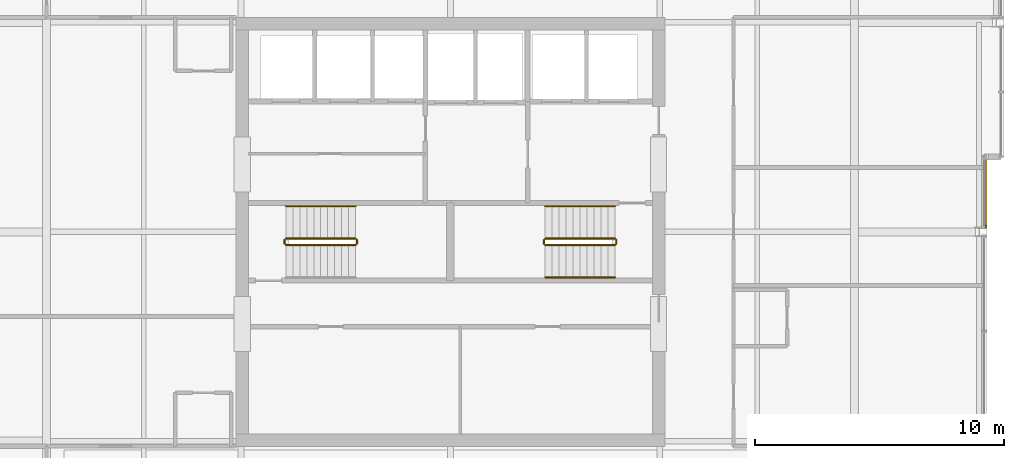
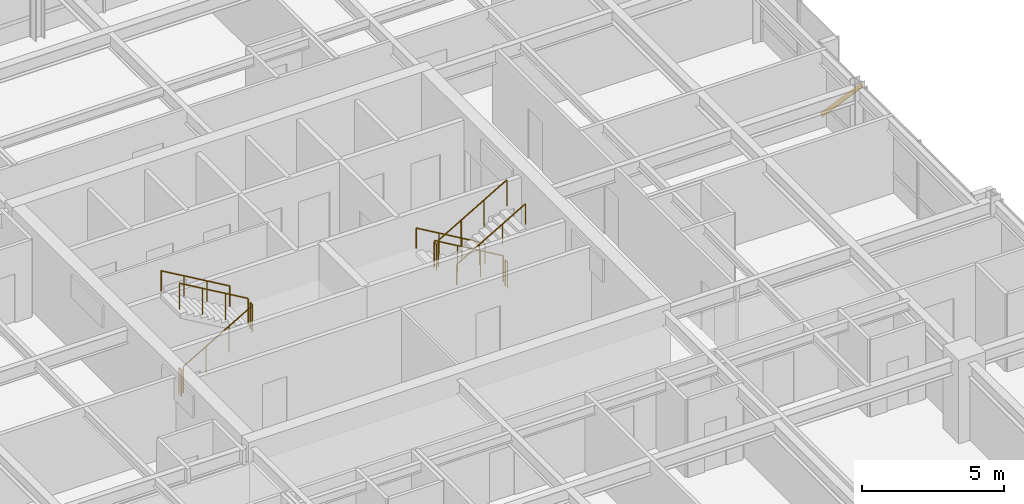
# One storey, part 31 of 32: 11 railings, 1 shading device.
"""IFC4 building model written with IfcOpenShell, lengths in metres."""

import ifcopenshell
import ifcopenshell.guid

model = None  # the IFC model being written
_history = None  # IfcOwnerHistory: only IFC2X3 demands one
_inside = {}  # id of a spatial element -> (the spatial element, [elements in it])
_under = {}  # id of a project, library or spatial element -> (it, [spatial elements below it])
_declared = {}  # id of a project -> (the project, [libraries it declares])
_typed = {}  # id of a type object -> (the type object, [elements of that type])
_made_of = {}  # id of a material, layer set ... -> (it, [elements and type objects made of it])


def new_model(schema):
    """Start an empty IFC model of exactly this schema.

    Asked for "IFC4X3", IfcOpenShell would pick the latest addendum, in which some entities
    have other attributes; the version numbers below select the first issue.
    IFC2X3 requires an IfcOwnerHistory on every rooted entity: one is made here for all.
    """
    global model, _history
    if schema == "IFC4X3":
        model = ifcopenshell.file(schema_version=(4, 3, 0, 0))
    else:
        model = ifcopenshell.file(schema=schema)
    _inside.clear()
    _under.clear()
    _declared.clear()
    _typed.clear()
    _made_of.clear()
    _history = None
    if model.schema == "IFC2X3":
        org = make("IfcOrganization", Name="unknown")
        user = make(
            "IfcPersonAndOrganization",
            ThePerson=make("IfcPerson", FamilyName="unknown"),
            TheOrganization=org,
        )
        app = make(
            "IfcApplication",
            ApplicationDeveloper=org,
            Version="unknown",
            ApplicationFullName="unknown",
            ApplicationIdentifier="unknown",
        )
        _history = make(
            "IfcOwnerHistory",
            OwningUser=user,
            OwningApplication=app,
            ChangeAction="ADDED",
            CreationDate=0,
        )
    return model


def make(cls, **values):
    """One entity of the class cls with the attributes given. An attribute that is None is left unset."""
    return model.create_entity(
        cls, **{name: value for name, value in values.items() if value is not None}
    )


def rooted(cls, **values):
    """An entity with a GlobalId (a new one), such as an element, a storey or a relation."""
    return make(cls, GlobalId=ifcopenshell.guid.new(), OwnerHistory=_history, **values)


def si_unit(unit_type, name, prefix=None):
    """IfcSIUnit, for example si_unit("LENGTHUNIT", "METRE", prefix="MILLI")."""
    return make("IfcSIUnit", UnitType=unit_type, Prefix=prefix, Name=name)


def assignment(units):
    """IfcUnitAssignment: the units of a project."""
    return None if units is None else make("IfcUnitAssignment", Units=units)


def point(xyz):
    """IfcCartesianPoint."""
    return None if xyz is None else make("IfcCartesianPoint", Coordinates=xyz)


def direction(xyz):
    """IfcDirection."""
    return None if xyz is None else make("IfcDirection", DirectionRatios=xyz)


def frame(location, z_axis=None, x_axis=None):
    """IfcAxis2Placement3D, a coordinate frame: its origin and axes. An axis left out is left unset."""
    return make(
        "IfcAxis2Placement3D",
        Location=point(location),
        Axis=direction(z_axis),
        RefDirection=direction(x_axis),
    )


def frame_2d(location, x_axis=None):
    """IfcAxis2Placement2D, a coordinate frame in the plane: its origin and x axis."""
    return make(
        "IfcAxis2Placement2D", Location=point(location), RefDirection=direction(x_axis)
    )


def origin():
    """The frame at (0, 0, 0) with its axes left unset."""
    return frame((0.0, 0.0, 0.0))


def origin_2d():
    """The frame at (0, 0) in the plane with its x axis left unset."""
    return frame_2d((0.0, 0.0))


def place(relative_to, where):
    """IfcLocalPlacement: puts the frame where relative to a parent placement (None: the world)."""
    return make(
        "IfcLocalPlacement", PlacementRelTo=relative_to, RelativePlacement=where
    )


def context(
    kind, dimensions, precision=None, world=None, true_north=None, identifier=None
):
    """IfcGeometricRepresentationContext, for example the 3D "Model" context."""
    return make(
        "IfcGeometricRepresentationContext",
        ContextIdentifier=identifier,
        ContextType=kind,
        CoordinateSpaceDimension=dimensions,
        Precision=precision,
        WorldCoordinateSystem=world,
        TrueNorth=true_north,
    )


def subcontext(parent, identifier, kind, view, scale=None):
    """IfcGeometricRepresentationSubContext, for example "Body" below "Model"."""
    return make(
        "IfcGeometricRepresentationSubContext",
        ContextIdentifier=identifier,
        ContextType=kind,
        ParentContext=parent,
        TargetScale=scale,
        TargetView=view,
    )


def project(units=None, contexts=None):
    """IfcProject with its units and contexts."""
    return rooted(
        "IfcProject",
        Name="project",
        RepresentationContexts=contexts,
        UnitsInContext=assignment(units),
    )


def spatial(cls, under=None, at=None, **own):
    """A site, building, storey or space (cls), placed at a placement, below another one or the project."""
    s = rooted(cls, ObjectPlacement=at, **own)
    if under is not None:
        _under.setdefault(under.id(), (under, []))[1].append(s)
    return s


def profile(cls, at=None, kind="AREA", **sizes):
    """A parametric profile (cls). Its sizes go by their IFC names, for example OverallWidth=200.0."""
    return make(cls, ProfileType=kind, Position=at, **sizes)


def hollow_rectangle(**sizes):
    """IfcRectangleHollowProfileDef."""
    return profile("IfcRectangleHollowProfileDef", **sizes)


def circle(**sizes):
    """IfcCircleProfileDef."""
    return profile("IfcCircleProfileDef", **sizes)


def extrude(swept, where, along, depth):
    """IfcExtrudedAreaSolid: the profile swept, set in the frame where, extruded along a direction by depth."""
    return make(
        "IfcExtrudedAreaSolid",
        SweptArea=swept,
        Position=where,
        ExtrudedDirection=direction(along),
        Depth=depth,
    )


def shape(context_of_items, identifier, shape_type, items):
    """IfcShapeRepresentation: the items that make up one representation, for example the "Body"."""
    return make(
        "IfcShapeRepresentation",
        ContextOfItems=context_of_items,
        RepresentationIdentifier=identifier,
        RepresentationType=shape_type,
        Items=items,
    )


def material(Name=None, Category=None):
    """IfcMaterial."""
    return make("IfcMaterial", Name=Name, Category=Category)


def material_profile(
    of_material, cross_section, Name=None, Category=None, Priority=None
):
    """IfcMaterialProfile: a cross section and its material."""
    return make(
        "IfcMaterialProfile",
        Name=Name,
        Material=of_material,
        Profile=cross_section,
        Priority=Priority,
        Category=Category,
    )


def profile_set(profiles, Name=None, composite=None):
    """IfcMaterialProfileSet."""
    return make(
        "IfcMaterialProfileSet",
        Name=Name,
        MaterialProfiles=profiles,
        CompositeProfile=composite,
    )


def made_of(thing, what):
    """Note that an element or type object is made of a material, layer set ...; save() writes the relation."""
    if what is not None:
        _made_of.setdefault(what.id(), (what, []))[1].append(thing)
    return thing


def type_object(cls, material=None, **own):
    """A type object (cls), such as IfcWallType, which elements share."""
    return made_of(rooted(cls, **own), material)


def element(
    cls,
    number,
    at=None,
    inside=None,
    cuts=None,
    type_object=None,
    material=None,
    context=None,
    identifier="Body",
    shape_type=None,
    held_by="IfcProductDefinitionShape",
    body=None,
    shapes=None,
    **own,
):
    """One element of the class cls, such as IfcWall. Its Tag is "e" and its number.

    at: its placement. inside: the storey or other place that contains it. cuts: it is an
    opening in that element (IfcRelVoidsElement). A single representation is given by context,
    identifier, shape_type and body (its items); several are given by shapes. held_by: the class
    of the entity that holds the representations. save() writes the other relations.
    """
    e = rooted(cls, Tag="e%d" % number, ObjectPlacement=at, **own)
    if body is not None:
        shapes = [shape(context, identifier, shape_type, body)]
    if shapes is not None:
        e.Representation = make(held_by, Representations=shapes)
    if inside is not None:
        _inside.setdefault(inside.id(), (inside, []))[1].append(e)
    if cuts is not None:
        rooted(
            "IfcRelVoidsElement", RelatingBuildingElement=cuts, RelatedOpeningElement=e
        )
    if type_object is not None:
        _typed.setdefault(type_object.id(), (type_object, []))[1].append(e)
    return made_of(e, material)


def aggregate(whole, parts):
    """IfcRelAggregates: a whole, such as a stair, and the parts it consists of."""
    return rooted("IfcRelAggregates", RelatingObject=whole, RelatedObjects=parts)


def save(model, path):
    """Write the relations noted so far, then the file.

    IfcRelAggregates (storeys below a building ...), IfcRelContainedInSpatialStructure (elements
    in a storey), IfcRelDefinesByType, IfcRelAssociatesMaterial and IfcRelDeclares: one each for
    every whole, place, type object, material and project.
    """
    for whole, parts in _under.values():
        aggregate(whole, parts)
    for where, things in _inside.values():
        rooted(
            "IfcRelContainedInSpatialStructure",
            RelatedElements=things,
            RelatingStructure=where,
        )
    for kind, things in _typed.values():
        rooted("IfcRelDefinesByType", RelatedObjects=things, RelatingType=kind)
    for what, things in _made_of.values():
        rooted("IfcRelAssociatesMaterial", RelatedObjects=things, RelatingMaterial=what)
    for by, libraries in _declared.values():
        rooted("IfcRelDeclares", RelatingContext=by, RelatedDefinitions=libraries)
    model.write(path)


model = new_model("IFC4")

# Units and contexts
model_context = context("Model", 3, precision=1e-05, world=origin(), true_north=direction((0.0, 1.0)))
body_context = subcontext(model_context, "Body", "Model", "MODEL_VIEW")
ifc_project = project(units=[si_unit("LENGTHUNIT", "METRE"), si_unit("AREAUNIT", "SQUARE_METRE"), si_unit("VOLUMEUNIT", "CUBIC_METRE"), si_unit("PLANEANGLEUNIT", "RADIAN"), si_unit("MASSUNIT", "GRAM", prefix="KILO")], contexts=[model_context])

# Site, building, storey
site_placement = place(None, origin())
site = spatial("IfcSite", under=ifc_project, at=site_placement, CompositionType="ELEMENT")
building_placement = place(site_placement, origin())
building = spatial("IfcBuilding", under=site, at=building_placement, Name="Drelvath Grand Hotel", CompositionType="ELEMENT")
storey_placement = place(building_placement, frame((0.0, 0.0, 233.89990234375)))
storey = spatial("IfcBuildingStorey", under=building, at=storey_placement, Name="L61", CompositionType="ELEMENT", Elevation=233.89990234375)

# Railings
ifc_material_1 = material(Name="Painted Steel S275", Category="steel")
railing_type_1 = type_object("IfcRailingType", Name="Core Stair Wall Handrail 900", PredefinedType="HANDRAIL", material=ifc_material_1)
railing_1_placement = place(storey_placement, frame((-3.800048828125, 28.030029296875, 1.963623046875)))
element("IfcRailing", 1, at=railing_1_placement, inside=storey, type_object=railing_type_1, Name="L61 ST-1 stair handrail 2", PredefinedType="HANDRAIL", context=body_context, shape_type="SweptSolid", body=[
    extrude(circle(Radius=0.02392578125, at=origin_2d()), frame((0.0, 0.0, 0.8759765625), z_axis=(-0.863360870873, 0.0, 0.504586966384), x_axis=(0.0, -1.0, 0.0)), (0.0, 0.0, 1.0), 3.2431640625),
    extrude(circle(Radius=0.02099609375, at=origin_2d()), origin(), (0.0, 0.0, 1.0), 0.851806640625),
    extrude(circle(Radius=0.02099609375, at=origin_2d()), frame((-0.933349609375, 0.0, 0.54541015625)), (0.0, 0.0, 1.0), 0.851806640625),
    extrude(circle(Radius=0.02099609375, at=origin_2d()), frame((-1.86669921875, 0.0, 1.091064453125)), (0.0, 0.0, 1.0), 0.851806640625),
    extrude(circle(Radius=0.02099609375, at=origin_2d()), frame((-2.800048828125, 0.0, 1.636474609375)), (0.0, 0.0, 1.0), 0.851806640625),
])
railing_2_placement = place(storey_placement, frame((6.60009765625, 28.030029296875, 0.163818359375)))
element("IfcRailing", 2, at=railing_2_placement, inside=storey, type_object=railing_type_1, Name="L61 ST-2 stair handrail 1", PredefinedType="HANDRAIL", context=body_context, shape_type="SweptSolid", body=[
    extrude(circle(Radius=0.02392578125, at=origin_2d()), frame((0.0, 0.0, 0.8759765625), z_axis=(-0.863393664356, 0.0, 0.504530851732), x_axis=(0.0, -1.0, 0.0)), (0.0, 0.0, 1.0), 3.2431640625),
    extrude(circle(Radius=0.02099609375, at=origin_2d()), origin(), (0.0, 0.0, 1.0), 0.851806640625),
    extrude(circle(Radius=0.02099609375, at=origin_2d()), frame((-0.933349609375, 0.0, 0.54541015625)), (0.0, 0.0, 1.0), 0.851806640625),
    extrude(circle(Radius=0.02099609375, at=origin_2d()), frame((-1.86669921875, 0.0, 1.0908203125)), (0.0, 0.0, 1.0), 0.851806640625),
    extrude(circle(Radius=0.02099609375, at=origin_2d()), frame((-2.800048828125, 0.0, 1.63623046875)), (0.0, 0.0, 1.0), 0.851806640625),
])
railing_3_placement = place(storey_placement, frame((3.800048828125, 25.169921875, 1.963623046875)))
element("IfcRailing", 3, at=railing_3_placement, inside=storey, type_object=railing_type_1, Name="L61 ST-2 stair handrail 2", PredefinedType="HANDRAIL", context=body_context, shape_type="SweptSolid", body=[
    extrude(circle(Radius=0.02392578125, at=origin_2d()), frame((0.0, 0.0, 0.8759765625), z_axis=(0.863360870873, 0.0, 0.504586966384), x_axis=(0.0, 1.0, 0.0)), (0.0, 0.0, 1.0), 3.2431640625),
    extrude(circle(Radius=0.02099609375, at=origin_2d()), origin(), (0.0, 0.0, 1.0), 0.851806640625),
    extrude(circle(Radius=0.02099609375, at=origin_2d()), frame((0.933349609375, 0.0, 0.54541015625)), (0.0, 0.0, 1.0), 0.851806640625),
    extrude(circle(Radius=0.02099609375, at=origin_2d()), frame((1.86669921875, 0.0, 1.091064453125)), (0.0, 0.0, 1.0), 0.851806640625),
    extrude(circle(Radius=0.02099609375, at=origin_2d()), frame((2.800048828125, 0.0, 1.636474609375)), (0.0, 0.0, 1.0), 0.851806640625),
])
railing_type_2 = type_object("IfcRailingType", Name="Core Stair Well Guardrail 1100", PredefinedType="GUARDRAIL", material=ifc_material_1)
railing_4_placement = place(storey_placement, frame((-6.60009765625, 26.469970703125, 0.163818359375)))
element("IfcRailing", 4, at=railing_4_placement, inside=storey, type_object=railing_type_2, Name="L61 ST-1 stair guard 1", PredefinedType="GUARDRAIL", context=body_context, shape_type="SweptSolid", body=[
    extrude(circle(Radius=0.02392578125, at=origin_2d()), frame((0.0, 0.0, 1.1259765625), z_axis=(0.863393664356, 0.0, 0.504530851732), x_axis=(0.0, 1.0, 0.0)), (0.0, 0.0, 1.0), 3.2431640625),
    extrude(circle(Radius=0.02099609375, at=origin_2d()), origin(), (0.0, 0.0, 1.0), 1.101806640625),
    extrude(circle(Radius=0.02099609375, at=origin_2d()), frame((0.933349609375, 0.0, 0.54541015625)), (0.0, 0.0, 1.0), 1.101806640625),
    extrude(circle(Radius=0.02099609375, at=origin_2d()), frame((1.86669921875, 0.0, 1.0908203125)), (0.0, 0.0, 1.0), 1.101806640625),
    extrude(circle(Radius=0.02099609375, at=origin_2d()), frame((2.800048828125, 0.0, 1.63623046875)), (0.0, 0.0, 1.0), 1.101806640625),
])
railing_5_placement = place(storey_placement, frame((-3.75, 26.52001953125, 1.800048828125)))
element("IfcRailing", 5, at=railing_5_placement, inside=storey, type_object=railing_type_2, Name="L61 ST-1 stair guard 2", PredefinedType="GUARDRAIL", context=body_context, shape_type="SweptSolid", body=[
    extrude(circle(Radius=0.02392578125, at=origin_2d()), frame((0.0, 0.0, 1.1259765625), z_axis=(0.0, 1.0, 0.0), x_axis=(-1.0, 0.0, 0.0)), (0.0, 0.0, 1.0), 0.159912109375),
    extrude(circle(Radius=0.02099609375, at=origin_2d()), origin(), (0.0, 0.0, 1.0), 1.101806640625),
    extrude(circle(Radius=0.02099609375, at=origin_2d()), frame((0.0, 0.159912109375, 0.0)), (0.0, 0.0, 1.0), 1.101806640625),
])
railing_6_placement = place(storey_placement, frame((-3.800048828125, 26.72998046875, 1.963623046875)))
element("IfcRailing", 6, at=railing_6_placement, inside=storey, type_object=railing_type_2, Name="L61 ST-1 stair guard 3", PredefinedType="GUARDRAIL", context=body_context, shape_type="SweptSolid", body=[
    extrude(circle(Radius=0.02392578125, at=origin_2d()), frame((0.0, 0.0, 1.1259765625), z_axis=(-0.863360870873, 0.0, 0.504586966384), x_axis=(0.0, -1.0, 0.0)), (0.0, 0.0, 1.0), 3.2431640625),
    extrude(circle(Radius=0.02099609375, at=origin_2d()), origin(), (0.0, 0.0, 1.0), 1.101806640625),
    extrude(circle(Radius=0.02099609375, at=origin_2d()), frame((-0.933349609375, 0.0, 0.54541015625)), (0.0, 0.0, 1.0), 1.101806640625),
    extrude(circle(Radius=0.02099609375, at=origin_2d()), frame((-1.86669921875, 0.0, 1.091064453125)), (0.0, 0.0, 1.0), 1.101806640625),
    extrude(circle(Radius=0.02099609375, at=origin_2d()), frame((-2.800048828125, 0.0, 1.636474609375)), (0.0, 0.0, 1.0), 1.101806640625),
])
railing_7_placement = place(storey_placement, frame((-6.64990234375, 26.52001953125, 0.0)))
element("IfcRailing", 7, at=railing_7_placement, inside=storey, type_object=railing_type_2, Name="L61 ST-1 stair guard 4", PredefinedType="GUARDRAIL", context=body_context, shape_type="SweptSolid", body=[
    extrude(circle(Radius=0.02392578125, at=origin_2d()), frame((0.0, 0.0, 1.1259765625), z_axis=(0.0, 1.0, 0.0), x_axis=(-1.0, 0.0, 0.0)), (0.0, 0.0, 1.0), 0.159912109375),
    extrude(circle(Radius=0.02099609375, at=origin_2d()), origin(), (0.0, 0.0, 1.0), 1.101806640625),
    extrude(circle(Radius=0.02099609375, at=origin_2d()), frame((0.0, 0.159912109375, 0.0)), (0.0, 0.0, 1.0), 1.101806640625),
])
railing_8_placement = place(storey_placement, frame((6.60009765625, 26.72998046875, 0.163818359375)))
element("IfcRailing", 8, at=railing_8_placement, inside=storey, type_object=railing_type_2, Name="L61 ST-2 stair guard 1", PredefinedType="GUARDRAIL", context=body_context, shape_type="SweptSolid", body=[
    extrude(circle(Radius=0.02392578125, at=origin_2d()), frame((0.0, 0.0, 1.1259765625), z_axis=(-0.863393664356, 0.0, 0.504530851732), x_axis=(0.0, -1.0, 0.0)), (0.0, 0.0, 1.0), 3.2431640625),
    extrude(circle(Radius=0.02099609375, at=origin_2d()), origin(), (0.0, 0.0, 1.0), 1.101806640625),
    extrude(circle(Radius=0.02099609375, at=origin_2d()), frame((-0.933349609375, 0.0, 0.54541015625)), (0.0, 0.0, 1.0), 1.101806640625),
    extrude(circle(Radius=0.02099609375, at=origin_2d()), frame((-1.86669921875, 0.0, 1.0908203125)), (0.0, 0.0, 1.0), 1.101806640625),
    extrude(circle(Radius=0.02099609375, at=origin_2d()), frame((-2.800048828125, 0.0, 1.63623046875)), (0.0, 0.0, 1.0), 1.101806640625),
])
railing_9_placement = place(storey_placement, frame((3.75, 26.679931640625, 1.800048828125)))
element("IfcRailing", 9, at=railing_9_placement, inside=storey, type_object=railing_type_2, Name="L61 ST-2 stair guard 2", PredefinedType="GUARDRAIL", context=body_context, shape_type="SweptSolid", body=[
    extrude(circle(Radius=0.02392578125, at=origin_2d()), frame((0.0, 0.0, 1.1259765625), z_axis=(0.0, -1.0, 0.0), x_axis=(1.0, 0.0, 0.0)), (0.0, 0.0, 1.0), 0.159912109375),
    extrude(circle(Radius=0.02099609375, at=origin_2d()), origin(), (0.0, 0.0, 1.0), 1.101806640625),
    extrude(circle(Radius=0.02099609375, at=origin_2d()), frame((0.0, -0.159912109375, 0.0)), (0.0, 0.0, 1.0), 1.101806640625),
])
railing_10_placement = place(storey_placement, frame((3.800048828125, 26.469970703125, 1.963623046875)))
element("IfcRailing", 10, at=railing_10_placement, inside=storey, type_object=railing_type_2, Name="L61 ST-2 stair guard 3", PredefinedType="GUARDRAIL", context=body_context, shape_type="SweptSolid", body=[
    extrude(circle(Radius=0.02392578125, at=origin_2d()), frame((0.0, 0.0, 1.1259765625), z_axis=(0.863360870873, 0.0, 0.504586966384), x_axis=(0.0, 1.0, 0.0)), (0.0, 0.0, 1.0), 3.2431640625),
    extrude(circle(Radius=0.02099609375, at=origin_2d()), origin(), (0.0, 0.0, 1.0), 1.101806640625),
    extrude(circle(Radius=0.02099609375, at=origin_2d()), frame((0.933349609375, 0.0, 0.54541015625)), (0.0, 0.0, 1.0), 1.101806640625),
    extrude(circle(Radius=0.02099609375, at=origin_2d()), frame((1.86669921875, 0.0, 1.091064453125)), (0.0, 0.0, 1.0), 1.101806640625),
    extrude(circle(Radius=0.02099609375, at=origin_2d()), frame((2.800048828125, 0.0, 1.636474609375)), (0.0, 0.0, 1.0), 1.101806640625),
])
railing_11_placement = place(storey_placement, frame((6.64990234375, 26.679931640625, 0.0)))
element("IfcRailing", 11, at=railing_11_placement, inside=storey, type_object=railing_type_2, Name="L61 ST-2 stair guard 4", PredefinedType="GUARDRAIL", context=body_context, shape_type="SweptSolid", body=[
    extrude(circle(Radius=0.02392578125, at=origin_2d()), frame((0.0, 0.0, 1.1259765625), z_axis=(0.0, -1.0, 0.0), x_axis=(1.0, 0.0, 0.0)), (0.0, 0.0, 1.0), 0.159912109375),
    extrude(circle(Radius=0.02099609375, at=origin_2d()), origin(), (0.0, 0.0, 1.0), 1.101806640625),
    extrude(circle(Radius=0.02099609375, at=origin_2d()), frame((0.0, -0.159912109375, 0.0)), (0.0, 0.0, 1.0), 1.101806640625),
])

# Shading device
ifc_material_2 = material(Name="Platinum-Mist Anodised Aluminium", Category="aluminium")
ifc_material_profile = material_profile(ifc_material_2, hollow_rectangle(XDim=0.06494140625, YDim=0.159912109375, WallThickness=0.00390625, at=origin_2d()), Name="HSS160X65X4")
ifc_profile_set = profile_set([ifc_material_profile], Name="Platinum-Mist Anodised Aluminium")
shading_device_type = type_object("IfcShadingDeviceType", Name="Diagonal Solar Fin Platinum Anodised HSS160X65X4", PredefinedType="USERDEFINED", material=ifc_profile_set)
shading_device_placement = place(storey_placement, frame((21.47998046875, 30.0, 0.18017578125), z_axis=(0.0, -0.686658509865, 0.726980117218), x_axis=(1.0, 0.0, 0.0)))
element("IfcShadingDevice", 12, at=shading_device_placement, inside=storey, type_object=shading_device_type, Name="L61 Diagonal Anodised Fin CW05-L61-EM2", ObjectType="FIN", PredefinedType="USERDEFINED", context=body_context, shape_type="SweptSolid", body=[
    extrude(hollow_rectangle(XDim=0.06494140625, YDim=0.159912109375, WallThickness=0.00390625, at=origin_2d()), origin(), (0.0, 0.0, 1.0), 4.09912109375),
])

save(model, "model.ifc")
